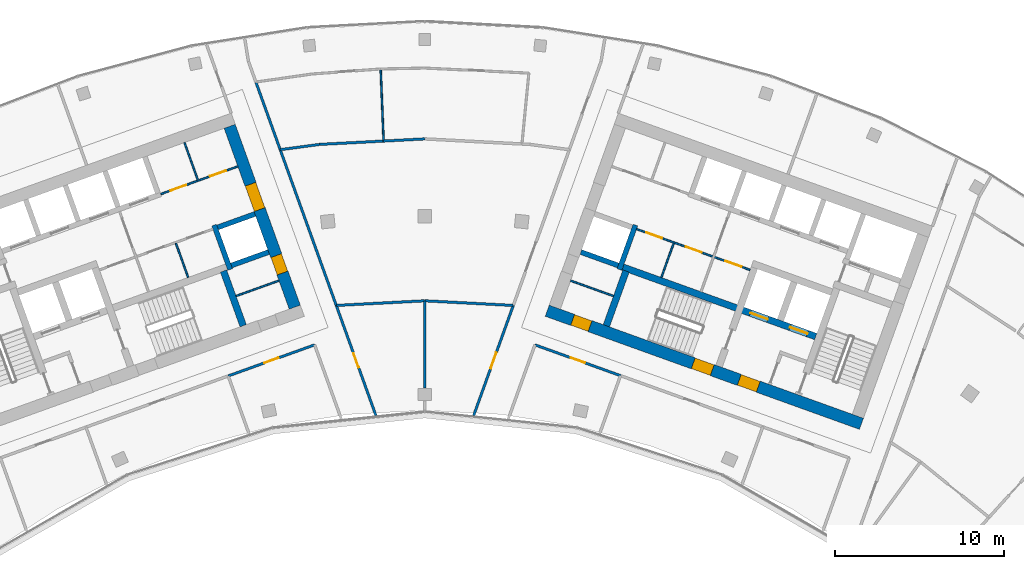
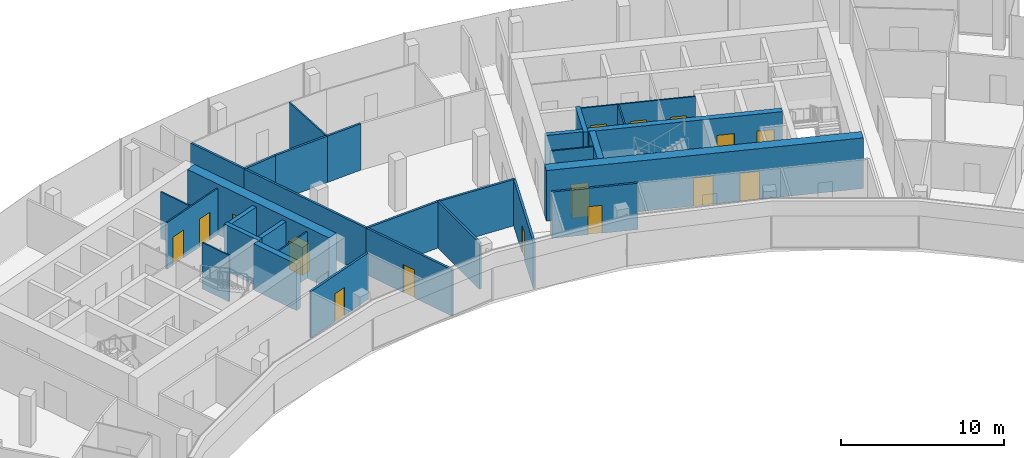
# One storey, part 14 of 18: 30 walls, 16 doors, 16 openings.
"""IFC4 building model written with IfcOpenShell, lengths in metres."""

from ifc_helpers import new_model, si_unit, direction, frame, frame_2d, origin, place, context, subcontext, project, spatial, rectangle, extrude, material, layer, layer_set, type_object, element, fill, save


model = new_model("IFC4")

# Units and contexts
model_context = context("Model", 3, precision=1e-05, world=origin(), true_north=direction((0.0, 1.0)))
body_context = subcontext(model_context, "Body", "Model", "MODEL_VIEW")
ifc_project = project(units=[si_unit("LENGTHUNIT", "METRE"), si_unit("AREAUNIT", "SQUARE_METRE"), si_unit("VOLUMEUNIT", "CUBIC_METRE"), si_unit("PLANEANGLEUNIT", "RADIAN"), si_unit("MASSUNIT", "GRAM", prefix="KILO")], contexts=[model_context])

# Site, building, storey
site_placement = place(None, origin())
site = spatial("IfcSite", under=ifc_project, at=site_placement, CompositionType="ELEMENT")
building_placement = place(site_placement, origin())
building = spatial("IfcBuilding", under=site, at=building_placement, Name="Stone Belt Terrace Tower", CompositionType="ELEMENT")
storey_placement = place(building_placement, frame((0.0, 0.0, 265.60009765625)))
storey = spatial("IfcBuildingStorey", under=building, at=storey_placement, Name="L64", CompositionType="ELEMENT", Elevation=265.60009765625)

# Wall
ifc_material_1 = material(Name="Plasterboard partition")
ifc_layer_1 = layer(ifc_material_1, 0.10009765625)
ifc_layer_set_1 = layer_set([ifc_layer_1], Name="Core partition 100")
wall_type_1 = type_object("IfcWallType", Name="Core partition 100", PredefinedType="PARTITIONING", material=ifc_layer_set_1)
wall_1_placement = place(storey_placement, frame((-14.029052734375, 51.38525390625, 0.0), z_axis=(0.0, 0.0, 1.0), x_axis=(-0.338622960269, 0.940922149159, 0.0)))
element("IfcWall", 1, at=wall_1_placement, inside=storey, type_object=wall_type_1, Name="Core A wall", PredefinedType="PARTITIONING", context=body_context, shape_type="SweptSolid", body=[
    extrude(rectangle(XDim=2.14990234375, YDim=0.10009765625, at=frame_2d((1.074951171875, 0.0))), origin(), (0.0, 0.0, 1.0), 3.47998046875),
])

# Wall, openings, doors
wall_2_placement = place(storey_placement, frame((-15.648681640625, 56.32861328125, 0.0), z_axis=(0.0, 0.0, 1.0), x_axis=(0.940905377977, 0.338669558262, 0.0)))
wall_2 = element("IfcWall", 2, at=wall_2_placement, inside=storey, type_object=wall_type_1, Name="Core A wall", PredefinedType="PARTITIONING", context=body_context, shape_type="SweptSolid", body=[
    extrude(rectangle(XDim=4.85009765625, YDim=0.10009765625, at=frame_2d((2.425048828125, 0.0))), origin(), (0.0, 0.0, 1.0), 3.47998046875),
])
opening_1_placement = place(wall_2_placement, frame((0.60009765625, 0.0, 0.0)))
opening_1 = element("IfcOpeningElement", 3, at=opening_1_placement, cuts=wall_2, Name="Opening L64-C01", PredefinedType="OPENING", context=body_context, shape_type="SweptSolid", body=[
    extrude(rectangle(XDim=1.0, YDim=2.10009765625, at=frame_2d((0.5, 1.050048828125))), frame((0.0, 0.06005859375, 0.0), z_axis=(0.0, -1.0, 0.0), x_axis=(1.0, 0.0, 0.0)), (0.0, 0.0, 1.0), 0.1201171875),
])
opening_2_placement = place(wall_2_placement, frame((3.10009765625, 0.0, 0.0)))
opening_2 = element("IfcOpeningElement", 4, at=opening_2_placement, cuts=wall_2, Name="Opening L64-C02", PredefinedType="OPENING", context=body_context, shape_type="SweptSolid", body=[
    extrude(rectangle(XDim=1.0, YDim=2.10009765625, at=frame_2d((0.5, 1.050048828125))), frame((0.0, 0.06005859375, 0.0), z_axis=(0.0, -1.0, 0.0), x_axis=(1.0, 0.0, 0.0)), (0.0, 0.0, 1.0), 0.1201171875),
])
ifc_material_2 = material(Name="Timber door leaf", Category="wood")
door_type_1 = type_object("IfcDoorType", Name="Core room door 1000", OperationType="SINGLE_SWING_LEFT", PredefinedType="DOOR", material=ifc_material_2)
door_1_placement = place(opening_1_placement, origin())
door_1 = element("IfcDoor", 5, at=door_1_placement, inside=storey, type_object=door_type_1, Name="Door to Print and copy room core A", OperationType="SINGLE_SWING_LEFT", OverallHeight=2.10009765625, OverallWidth=1.0, PredefinedType="DOOR", context=body_context, shape_type="SweptSolid", body=[
    extrude(rectangle(XDim=1.0, YDim=2.10009765625, at=frame_2d((0.5, 1.050048828125))), frame((0.0, 0.02490234375, 0.0), z_axis=(0.0, -1.0, 0.0), x_axis=(1.0, 0.0, 0.0)), (0.0, 0.0, 1.0), 0.050048828125),
])
fill(opening_1, door_1)
door_2_placement = place(opening_2_placement, origin())
door_2 = element("IfcDoor", 6, at=door_2_placement, inside=storey, type_object=door_type_1, Name="Door to Pantry core A", OperationType="SINGLE_SWING_RIGHT", OverallHeight=2.10009765625, OverallWidth=1.0, PredefinedType="DOOR", context=body_context, shape_type="SweptSolid", body=[
    extrude(rectangle(XDim=1.0, YDim=2.10009765625, at=frame_2d((0.5, 1.050048828125))), frame((0.0, 0.02490234375, 0.0), z_axis=(0.0, -1.0, 0.0), x_axis=(1.0, 0.0, 0.0)), (0.0, 0.0, 1.0), 0.050048828125),
])
fill(opening_2, door_2)

# Walls
wall_3_placement = place(storey_placement, frame((-11.187744140625, 50.2822265625, 0.0), z_axis=(0.0, 0.0, 1.0), x_axis=(0.940949642365, 0.338546555931, 0.0)))
element("IfcWall", 7, at=wall_3_placement, inside=storey, type_object=wall_type_1, Name="Core A wall", PredefinedType="PARTITIONING", context=body_context, shape_type="SweptSolid", body=[
    extrude(rectangle(XDim=2.699951171875, YDim=0.10009765625, at=frame_2d((1.35009765625, 0.0))), origin(), (0.0, 0.0, 1.0), 3.47998046875),
])
wall_4_placement = place(storey_placement, frame((-13.45458984375, 57.171630859375, 0.0), z_axis=(0.0, 0.0, 1.0), x_axis=(-0.338579668317, 0.940937728121, 0.0)))
element("IfcWall", 8, at=wall_4_placement, inside=storey, type_object=wall_type_1, Name="Core A wall", PredefinedType="PARTITIONING", context=body_context, shape_type="SweptSolid", body=[
    extrude(rectangle(XDim=2.35009765625, YDim=0.10009765625, at=frame_2d((1.175048828125, 0.0))), origin(), (0.0, 0.0, 1.0), 3.47998046875),
])

# Wall, openings, doors
wall_5_placement = place(storey_placement, frame((19.29052734375, 51.829833984375, 0.0), z_axis=(0.0, 0.0, 1.0), x_axis=(-0.94092179465, 0.338623945331, 0.0)))
wall_5 = element("IfcWall", 9, at=wall_5_placement, inside=storey, type_object=wall_type_1, Name="Core B wall", PredefinedType="PARTITIONING", context=body_context, shape_type="SweptSolid", body=[
    extrude(rectangle(XDim=7.14990234375, YDim=0.10009765625, at=frame_2d((3.574951171875, 0.0))), origin(), (0.0, 0.0, 1.0), 3.47998046875),
])
opening_3_placement = place(wall_5_placement, frame((0.550048828125, 0.0, 0.0)))
opening_3 = element("IfcOpeningElement", 10, at=opening_3_placement, cuts=wall_5, Name="Opening L64-C19", PredefinedType="OPENING", context=body_context, shape_type="SweptSolid", body=[
    extrude(rectangle(XDim=1.0, YDim=2.10009765625, at=frame_2d((0.5, 1.050048828125))), frame((0.0, 0.06005859375, 0.0), z_axis=(0.0, -1.0, 0.0), x_axis=(1.0, 0.0, 0.0)), (0.0, 0.0, 1.0), 0.1201171875),
])
opening_4_placement = place(wall_5_placement, frame((3.050048828125, 0.0, 0.0)))
opening_4 = element("IfcOpeningElement", 11, at=opening_4_placement, cuts=wall_5, Name="Opening L64-C20", PredefinedType="OPENING", context=body_context, shape_type="SweptSolid", body=[
    extrude(rectangle(XDim=1.0, YDim=2.10009765625, at=frame_2d((0.5, 1.050048828125))), frame((0.0, 0.06005859375, 0.0), z_axis=(0.0, -1.0, 0.0), x_axis=(1.0, 0.0, 0.0)), (0.0, 0.0, 1.0), 0.1201171875),
])
opening_5_placement = place(wall_5_placement, frame((5.550048828125, 0.0, 0.0)))
opening_5 = element("IfcOpeningElement", 12, at=opening_5_placement, cuts=wall_5, Name="Opening L64-C21", PredefinedType="OPENING", context=body_context, shape_type="SweptSolid", body=[
    extrude(rectangle(XDim=1.0, YDim=2.10009765625, at=frame_2d((0.5, 1.050048828125))), frame((0.0, 0.06005859375, 0.0), z_axis=(0.0, -1.0, 0.0), x_axis=(1.0, 0.0, 0.0)), (0.0, 0.0, 1.0), 0.1201171875),
])
door_3_placement = place(opening_3_placement, origin())
door_3 = element("IfcDoor", 13, at=door_3_placement, inside=storey, type_object=door_type_1, Name="Door to Housekeeping store core B", OperationType="SINGLE_SWING_RIGHT", OverallHeight=2.10009765625, OverallWidth=1.0, PredefinedType="DOOR", context=body_context, shape_type="SweptSolid", body=[
    extrude(rectangle(XDim=1.0, YDim=2.10009765625, at=frame_2d((0.5, 1.050048828125))), frame((0.0, 0.02490234375, 0.0), z_axis=(0.0, -1.0, 0.0), x_axis=(1.0, 0.0, 0.0)), (0.0, 0.0, 1.0), 0.050048828125),
])
fill(opening_3, door_3)
door_4_placement = place(opening_4_placement, origin())
door_4 = element("IfcDoor", 14, at=door_4_placement, inside=storey, type_object=door_type_1, Name="Door to Tenant storage room core B", OperationType="SINGLE_SWING_LEFT", OverallHeight=2.10009765625, OverallWidth=1.0, PredefinedType="DOOR", context=body_context, shape_type="SweptSolid", body=[
    extrude(rectangle(XDim=1.0, YDim=2.10009765625, at=frame_2d((0.5, 1.050048828125))), frame((0.0, 0.02490234375, 0.0), z_axis=(0.0, -1.0, 0.0), x_axis=(1.0, 0.0, 0.0)), (0.0, 0.0, 1.0), 0.050048828125),
])
fill(opening_4, door_4)
door_5_placement = place(opening_5_placement, origin())
door_5 = element("IfcDoor", 15, at=door_5_placement, inside=storey, type_object=door_type_1, Name="Door to Communications hub room core B", OperationType="SINGLE_SWING_RIGHT", OverallHeight=2.10009765625, OverallWidth=1.0, PredefinedType="DOOR", context=body_context, shape_type="SweptSolid", body=[
    extrude(rectangle(XDim=1.0, YDim=2.10009765625, at=frame_2d((0.5, 1.050048828125))), frame((0.0, 0.02490234375, 0.0), z_axis=(0.0, -1.0, 0.0), x_axis=(1.0, 0.0, 0.0)), (0.0, 0.0, 1.0), 0.050048828125),
])
fill(opening_5, door_5)

# Walls
wall_6_placement = place(storey_placement, frame((14.029052734375, 51.38525390625, 0.0), z_axis=(0.0, 0.0, 1.0), x_axis=(0.338622960269, 0.940922149159, 0.0)))
element("IfcWall", 16, at=wall_6_placement, inside=storey, type_object=wall_type_1, Name="Core B wall", PredefinedType="PARTITIONING", context=body_context, shape_type="SweptSolid", body=[
    extrude(rectangle(XDim=2.14990234375, YDim=0.10009765625, at=frame_2d((1.074951171875, 0.0))), origin(), (0.0, 0.0, 1.0), 3.47998046875),
])
wall_7_placement = place(storey_placement, frame((11.187744140625, 50.2822265625, 0.0), z_axis=(0.0, 0.0, 1.0), x_axis=(-0.940949642365, 0.338546555931, 0.0)))
element("IfcWall", 17, at=wall_7_placement, inside=storey, type_object=wall_type_1, Name="Core B wall", PredefinedType="PARTITIONING", context=body_context, shape_type="SweptSolid", body=[
    extrude(rectangle(XDim=2.699951171875, YDim=0.10009765625, at=frame_2d((1.35009765625, 0.0))), origin(), (0.0, 0.0, 1.0), 3.47998046875),
])

# Wall, openings, doors
ifc_material_3 = material(Name="Concrete B60", Category="concrete")
ifc_layer_2 = layer(ifc_material_3, 0.699951171875)
ifc_layer_set_2 = layer_set([ifc_layer_2], Name="Core wall 700 B60")
wall_type_2 = type_object("IfcWallType", Name="Core wall 700 B60", PredefinedType="SHEAR", material=ifc_layer_set_2)
wall_8_placement = place(storey_placement, frame((-7.70849609375, 49.621337890625, 0.0), z_axis=(0.0, 0.0, 1.0), x_axis=(-0.338606471282, 0.940928083121, 0.0)))
wall_8 = element("IfcWall", 18, at=wall_8_placement, inside=storey, type_object=wall_type_2, Name="Core A wall end_b L64", PredefinedType="SHEAR", context=body_context, shape_type="SweptSolid", body=[
    extrude(rectangle(XDim=11.39990234375, YDim=0.699951171875, at=frame_2d((5.699951171875, 0.0))), origin(), (0.0, 0.0, 1.0), 3.7998046875),
])
opening_6_placement = place(wall_8_placement, frame((6.14990234375, 0.0, 0.0)))
opening_6 = element("IfcOpeningElement", 19, at=opening_6_placement, cuts=wall_8, Name="Opening L64-C09", PredefinedType="OPENING", context=body_context, shape_type="SweptSolid", body=[
    extrude(rectangle(XDim=1.60009765625, YDim=2.10009765625, at=frame_2d((0.800048828125, 1.050048828125))), frame((0.0, 0.35986328125, 0.0), z_axis=(0.0, -1.0, 0.0), x_axis=(1.0, 0.0, 0.0)), (0.0, 0.0, 1.0), 0.719970703125),
])
opening_7_placement = place(wall_8_placement, frame((2.14990234375, 0.0, 0.0)))
opening_7 = element("IfcOpeningElement", 20, at=opening_7_placement, cuts=wall_8, Name="Opening L64-C15", PredefinedType="OPENING", context=body_context, shape_type="SweptSolid", body=[
    extrude(rectangle(XDim=1.10009765625, YDim=2.10009765625, at=frame_2d((0.550048828125, 1.050048828125))), frame((0.0, 0.35986328125, 0.0), z_axis=(0.0, -1.0, 0.0), x_axis=(1.0, 0.0, 0.0)), (0.0, 0.0, 1.0), 0.719970703125),
])
door_type_2 = type_object("IfcDoorType", Name="Core room door 1100", OperationType="SINGLE_SWING_LEFT", PredefinedType="DOOR", material=ifc_material_2)
door_6_placement = place(opening_7_placement, origin())
door_6 = element("IfcDoor", 21, at=door_6_placement, inside=storey, type_object=door_type_2, Name="Door to Accessible WC core A", OperationType="SINGLE_SWING_RIGHT", OverallHeight=2.10009765625, OverallWidth=1.10009765625, PredefinedType="DOOR", context=body_context, shape_type="SweptSolid", body=[
    extrude(rectangle(XDim=1.10009765625, YDim=2.10009765625, at=frame_2d((0.550048828125, 1.050048828125))), frame((0.0, 0.330078125, 0.0), z_axis=(0.0, -1.0, 0.0), x_axis=(1.0, 0.0, 0.0)), (0.0, 0.0, 1.0), 0.659912109375),
])
fill(opening_7, door_6)
ifc_material_4 = material(Name="Glazed aluminium door leaf", Category="aluminium")
door_type_3 = type_object("IfcDoorType", Name="Lift lobby entrance door 1600", OperationType="DOUBLE_DOOR_SINGLE_SWING", PredefinedType="DOOR", material=ifc_material_4)
door_7_placement = place(opening_6_placement, origin())
door_7 = element("IfcDoor", 22, at=door_7_placement, inside=storey, type_object=door_type_3, Name="Lift lobby entrance door core A", OperationType="DOUBLE_DOOR_SINGLE_SWING", OverallHeight=2.10009765625, OverallWidth=1.60009765625, PredefinedType="DOOR", context=body_context, shape_type="SweptSolid", body=[
    extrude(rectangle(XDim=1.60009765625, YDim=2.10009765625, at=frame_2d((0.800048828125, 1.050048828125))), frame((0.0, 0.330078125, 0.0), z_axis=(0.0, -1.0, 0.0), x_axis=(1.0, 0.0, 0.0)), (0.0, 0.0, 1.0), 0.659912109375),
])
fill(opening_6, door_7)

wall_9_placement = place(storey_placement, frame((7.260498046875, 49.410400390625, 0.0), z_axis=(0.0, 0.0, 1.0), x_axis=(0.940925130461, -0.338614676094, 0.0)))
wall_9 = element("IfcWall", 23, at=wall_9_placement, inside=storey, type_object=wall_type_2, Name="Core B wall concave L64", PredefinedType="SHEAR", context=body_context, shape_type="SweptSolid", body=[
    extrude(rectangle(XDim=19.800048828125, YDim=0.699951171875, at=frame_2d((9.89990234375, 0.0))), origin(), (0.0, 0.0, 1.0), 3.7998046875),
])
opening_8_placement = place(wall_9_placement, frame((12.10009765625, 0.0, 0.0)))
opening_8 = element("IfcOpeningElement", 24, at=opening_8_placement, cuts=wall_9, Name="Opening L64-C28", PredefinedType="OPENING", context=body_context, shape_type="SweptSolid", body=[
    extrude(rectangle(XDim=1.199951171875, YDim=2.10009765625, at=frame_2d((0.60009765625, 1.050048828125))), frame((0.0, 0.35986328125, 0.0), z_axis=(0.0, -1.0, 0.0), x_axis=(1.0, 0.0, 0.0)), (0.0, 0.0, 1.0), 0.719970703125),
])
opening_9_placement = place(wall_9_placement, frame((9.2001953125, 0.0, 0.0)))
opening_9 = element("IfcOpeningElement", 25, at=opening_9_placement, cuts=wall_9, Name="Opening L64-C30", PredefinedType="OPENING", context=body_context, shape_type="SweptSolid", body=[
    extrude(rectangle(XDim=1.199951171875, YDim=2.10009765625, at=frame_2d((0.60009765625, 1.050048828125))), frame((0.0, 0.35986328125, 0.0), z_axis=(0.0, -1.0, 0.0), x_axis=(1.0, 0.0, 0.0)), (0.0, 0.0, 1.0), 0.719970703125),
])
opening_10_placement = place(wall_9_placement, frame((1.60009765625, 0.0, 0.0)))
opening_10 = element("IfcOpeningElement", 26, at=opening_10_placement, cuts=wall_9, Name="Opening L64-C32", PredefinedType="OPENING", context=body_context, shape_type="SweptSolid", body=[
    extrude(rectangle(XDim=1.10009765625, YDim=2.10009765625, at=frame_2d((0.550048828125, 1.050048828125))), frame((0.0, 0.35986328125, 0.0), z_axis=(0.0, -1.0, 0.0), x_axis=(1.0, 0.0, 0.0)), (0.0, 0.0, 1.0), 0.719970703125),
])
door_8_placement = place(opening_10_placement, origin())
door_8 = element("IfcDoor", 27, at=door_8_placement, inside=storey, type_object=door_type_2, Name="Door to Cleaner's store core B", OperationType="SINGLE_SWING_RIGHT", OverallHeight=2.10009765625, OverallWidth=1.10009765625, PredefinedType="DOOR", context=body_context, shape_type="SweptSolid", body=[
    extrude(rectangle(XDim=1.10009765625, YDim=2.10009765625, at=frame_2d((0.550048828125, 1.050048828125))), frame((0.0, 0.330078125, 0.0), z_axis=(0.0, -1.0, 0.0), x_axis=(1.0, 0.0, 0.0)), (0.0, 0.0, 1.0), 0.659912109375),
])
fill(opening_10, door_8)
ifc_material_5 = material(Name="Steel door leaf", Category="steel")
door_type_4 = type_object("IfcDoorType", Name="Fire-fighting lobby door 1200", OperationType="SINGLE_SWING_LEFT", PredefinedType="DOOR", material=ifc_material_5)
door_9_placement = place(opening_8_placement, origin())
door_9 = element("IfcDoor", 28, at=door_9_placement, inside=storey, type_object=door_type_4, Name="Fire-fighting lobby door core B", OperationType="SINGLE_SWING_RIGHT", OverallHeight=2.10009765625, OverallWidth=1.199951171875, PredefinedType="DOOR", context=body_context, shape_type="SweptSolid", body=[
    extrude(rectangle(XDim=1.199951171875, YDim=2.10009765625, at=frame_2d((0.60009765625, 1.050048828125))), frame((0.0, 0.330078125, 0.0), z_axis=(0.0, -1.0, 0.0), x_axis=(1.0, 0.0, 0.0)), (0.0, 0.0, 1.0), 0.659912109375),
])
fill(opening_8, door_9)
door_type_5 = type_object("IfcDoorType", Name="Stair door 1200", OperationType="SINGLE_SWING_LEFT", PredefinedType="DOOR", material=ifc_material_5)
door_10_placement = place(opening_9_placement, origin())
door_10 = element("IfcDoor", 29, at=door_10_placement, inside=storey, type_object=door_type_5, Name="Stair 2 exit door core B", OperationType="SINGLE_SWING_LEFT", OverallHeight=2.10009765625, OverallWidth=1.199951171875, PredefinedType="DOOR", context=body_context, shape_type="SweptSolid", body=[
    extrude(rectangle(XDim=1.199951171875, YDim=2.10009765625, at=frame_2d((0.60009765625, 1.050048828125))), frame((0.0, 0.330078125, 0.0), z_axis=(0.0, -1.0, 0.0), x_axis=(1.0, 0.0, 0.0)), (0.0, 0.0, 1.0), 0.659912109375),
])
fill(opening_9, door_10)

# Walls
ifc_material_6 = material(Name="Concrete B80", Category="concrete")
ifc_layer_3 = layer(ifc_material_6, 0.300048828125)
ifc_layer_set_3 = layer_set([ifc_layer_3], Name="Lift shaft wall 300")
wall_type_3 = type_object("IfcWallType", Name="Lift shaft wall 300", PredefinedType="SHEAR", material=ifc_layer_set_3)
wall_10_placement = place(storey_placement, frame((-11.541259765625, 51.85546875, 0.0), z_axis=(0.0, 0.0, 1.0), x_axis=(-0.338660803216, 0.940908529223, 0.0)))
element("IfcWall", 30, at=wall_10_placement, inside=storey, type_object=wall_type_3, Name="Core A wall", PredefinedType="SHEAR", context=body_context, shape_type="SweptSolid", body=[
    extrude(rectangle(XDim=2.800048828125, YDim=0.300048828125, at=frame_2d((1.39990234375, 0.0))), origin(), (0.0, 0.0, 1.0), 3.47998046875),
])
wall_11_placement = place(storey_placement, frame((-11.468017578125, 52.09423828125, 0.0), z_axis=(0.0, 0.0, 1.0), x_axis=(0.940904627055, 0.338671644496, 0.0)))
element("IfcWall", 31, at=wall_11_placement, inside=storey, type_object=wall_type_3, Name="Core A wall", PredefinedType="SHEAR", context=body_context, shape_type="SweptSolid", body=[
    extrude(rectangle(XDim=2.35009765625, YDim=0.300048828125, at=frame_2d((1.175048828125, 0.0))), origin(), (0.0, 0.0, 1.0), 3.47998046875),
])
wall_12_placement = place(storey_placement, frame((-12.280517578125, 54.3525390625, 0.0), z_axis=(0.0, 0.0, 1.0), x_axis=(0.940925816745, 0.338612769078, 0.0)))
element("IfcWall", 32, at=wall_12_placement, inside=storey, type_object=wall_type_3, Name="Core A wall", PredefinedType="SHEAR", context=body_context, shape_type="SweptSolid", body=[
    extrude(rectangle(XDim=2.349853515625, YDim=0.300048828125, at=frame_2d((1.1748046875, 0.0))), origin(), (0.0, 0.0, 1.0), 3.47998046875),
])
wall_13_placement = place(storey_placement, frame((11.541259765625, 51.85546875, 0.0), z_axis=(0.0, 0.0, 1.0), x_axis=(0.338660803216, 0.940908529223, 0.0)))
element("IfcWall", 33, at=wall_13_placement, inside=storey, type_object=wall_type_3, Name="Core B wall", PredefinedType="SHEAR", context=body_context, shape_type="SweptSolid", body=[
    extrude(rectangle(XDim=2.800048828125, YDim=0.300048828125, at=frame_2d((1.39990234375, 0.0))), origin(), (0.0, 0.0, 1.0), 3.47998046875),
])
wall_14_placement = place(storey_placement, frame((11.468017578125, 52.09423828125, 0.0), z_axis=(0.0, 0.0, 1.0), x_axis=(-0.940904627055, 0.338671644496, 0.0)))
element("IfcWall", 34, at=wall_14_placement, inside=storey, type_object=wall_type_3, Name="Core B wall", PredefinedType="SHEAR", context=body_context, shape_type="SweptSolid", body=[
    extrude(rectangle(XDim=2.35009765625, YDim=0.300048828125, at=frame_2d((1.175048828125, 0.0))), origin(), (0.0, 0.0, 1.0), 3.47998046875),
])
ifc_material_7 = material(Name="Gypsum board partition")
ifc_layer_4 = layer(ifc_material_7, 0.10009765625)
ifc_layer_set_4 = layer_set([ifc_layer_4], Name="PARTITION 100")
wall_type_4 = type_object("IfcWallType", Name="PARTITION 100", PredefinedType="PARTITIONING", material=ifc_layer_set_4)
wall_15_placement = place(storey_placement, frame((-2.615966796875, 63.74609375, 0.0), z_axis=(0.0, 0.0, 1.0), x_axis=(0.040920742427, -0.999162395629, 0.0)))
element("IfcWall", 35, at=wall_15_placement, inside=storey, type_object=wall_type_4, Name="L64/wall/i086", PredefinedType="PARTITIONING", context=body_context, shape_type="SweptSolid", body=[
    extrude(rectangle(XDim=4.27783203125, YDim=0.10009765625, at=frame_2d((2.138916015625, 0.0))), origin(), (0.0, 0.0, 1.0), 3.47998046875),
])

# Wall, opening, door
ifc_layer_5 = layer(ifc_material_7, 0.14990234375)
ifc_layer_set_5 = layer_set([ifc_layer_5], Name="PARTITION 150 EI 60")
wall_type_5 = type_object("IfcWallType", Name="PARTITION 150 EI 60", PredefinedType="PARTITIONING", material=ifc_layer_set_5)
wall_16_placement = place(storey_placement, frame((-5.2490234375, 49.72900390625, 0.0), z_axis=(0.0, 0.0, 1.0), x_axis=(0.338658460958, -0.940909372268, 0.0)))
wall_16 = element("IfcWall", 36, at=wall_16_placement, inside=storey, type_object=wall_type_5, Name="L64/wall/i011", PredefinedType="PARTITIONING", context=body_context, shape_type="SweptSolid", body=[
    extrude(rectangle(XDim=6.94384765625, YDim=0.14990234375, at=frame_2d((3.471923828125, 0.0))), origin(), (0.0, 0.0, 1.0), 3.47998046875),
])
opening_11_placement = place(wall_16_placement, frame((3.02197265625, 0.0, 0.0)))
opening_11 = element("IfcOpeningElement", 37, at=opening_11_placement, cuts=wall_16, Name="Opening D-E1-25", PredefinedType="OPENING", context=body_context, shape_type="SweptSolid", body=[
    extrude(rectangle(XDim=0.89990234375, YDim=2.10009765625, at=frame_2d((0.449951171875, 1.050048828125))), frame((0.0, 0.0849609375, 0.0), z_axis=(0.0, -1.0, 0.0), x_axis=(1.0, 0.0, 0.0)), (0.0, 0.0, 1.0), 0.169921875),
])
door_type_6 = type_object("IfcDoorType", Name="OFFICE DOOR 900 X 2100", OperationType="NOTDEFINED", PredefinedType="DOOR", material=ifc_material_2)
door_11_placement = place(opening_11_placement, origin())
door_11 = element("IfcDoor", 38, at=door_11_placement, inside=storey, type_object=door_type_6, Name="L64/door/i25", OperationType="SINGLE_SWING_RIGHT", OverallHeight=2.10009765625, OverallWidth=0.89990234375, PredefinedType="DOOR", context=body_context, shape_type="SweptSolid", body=[
    extrude(rectangle(XDim=0.89990234375, YDim=2.10009765625, at=frame_2d((0.449951171875, 1.050048828125))), frame((0.0, 0.02490234375, 0.0), z_axis=(0.0, -1.0, 0.0), x_axis=(1.0, 0.0, 0.0)), (0.0, 0.0, 1.0), 0.050048828125),
])
fill(opening_11, door_11)

# Walls
wall_17_placement = place(storey_placement, frame((-10.01708984375, 62.97900390625, 0.0), z_axis=(0.0, 0.0, 1.0), x_axis=(0.338519370283, -0.940959423112, 0.0)))
element("IfcWall", 39, at=wall_17_placement, inside=storey, type_object=wall_type_5, Name="L64/wall/i014", PredefinedType="PARTITIONING", context=body_context, shape_type="SweptSolid", body=[
    extrude(rectangle(XDim=4.27734375, YDim=0.14990234375, at=frame_2d((2.138671875, 0.0))), origin(), (0.0, 0.0, 1.0), 3.47998046875),
])
wall_18_placement = place(storey_placement, frame((-8.572998046875, 58.966064453125, 0.0), z_axis=(0.0, 0.0, 1.0), x_axis=(0.338560271088, -0.940944707643, 0.0)))
element("IfcWall", 40, at=wall_18_placement, inside=storey, type_object=wall_type_5, Name="L64/wall/i015", PredefinedType="PARTITIONING", context=body_context, shape_type="SweptSolid", body=[
    extrude(rectangle(XDim=9.82958984375, YDim=0.14990234375, at=frame_2d((4.914794921875, 0.0))), origin(), (0.0, 0.0, 1.0), 3.47998046875),
])

# Wall, opening, door
wall_19_placement = place(storey_placement, frame((-6.532958984375, 47.387939453125, 0.0), z_axis=(0.0, 0.0, 1.0), x_axis=(-0.940930243135, -0.338600468922, 0.0)))
wall_19 = element("IfcWall", 41, at=wall_19_placement, inside=storey, type_object=wall_type_5, Name="L64/wall/i018", PredefinedType="PARTITIONING", context=body_context, shape_type="SweptSolid", body=[
    extrude(rectangle(XDim=5.44873046875, YDim=0.14990234375, at=frame_2d((2.724365234375, 0.0))), origin(), (0.0, 0.0, 1.0), 3.47998046875),
])
opening_12_placement = place(wall_19_placement, frame((2.2744140625, 0.0, 0.0)))
opening_12 = element("IfcOpeningElement", 42, at=opening_12_placement, cuts=wall_19, Name="Opening D-E1-03", PredefinedType="OPENING", context=body_context, shape_type="SweptSolid", body=[
    extrude(rectangle(XDim=0.89990234375, YDim=2.10009765625, at=frame_2d((0.449951171875, 1.050048828125))), frame((0.0, 0.0849609375, 0.0), z_axis=(0.0, -1.0, 0.0), x_axis=(1.0, 0.0, 0.0)), (0.0, 0.0, 1.0), 0.169921875),
])
door_12_placement = place(opening_12_placement, origin())
door_12 = element("IfcDoor", 43, at=door_12_placement, inside=storey, type_object=door_type_6, Name="L64/door/i03", OperationType="SINGLE_SWING_RIGHT", OverallHeight=2.10009765625, OverallWidth=0.89990234375, PredefinedType="DOOR", context=body_context, shape_type="SweptSolid", body=[
    extrude(rectangle(XDim=0.89990234375, YDim=2.10009765625, at=frame_2d((0.449951171875, 1.050048828125))), frame((0.0, 0.02490234375, 0.0), z_axis=(0.0, -1.0, 0.0), x_axis=(1.0, 0.0, 0.0)), (0.0, 0.0, 1.0), 0.050048828125),
])
fill(opening_12, door_12)

wall_20_placement = place(storey_placement, frame((2.8974609375, 43.195556640625, 0.0), z_axis=(0.0, 0.0, 1.0), x_axis=(0.338658460958, 0.940909372268, 0.0)))
wall_20 = element("IfcWall", 44, at=wall_20_placement, inside=storey, type_object=wall_type_5, Name="L64/wall/i024", PredefinedType="PARTITIONING", context=body_context, shape_type="SweptSolid", body=[
    extrude(rectangle(XDim=6.94384765625, YDim=0.14990234375, at=frame_2d((3.471923828125, 0.0))), origin(), (0.0, 0.0, 1.0), 3.47998046875),
])
opening_13_placement = place(wall_20_placement, frame((2.971923828125, 0.0, 0.0)))
opening_13 = element("IfcOpeningElement", 45, at=opening_13_placement, cuts=wall_20, Name="Opening D-E1-26", PredefinedType="OPENING", context=body_context, shape_type="SweptSolid", body=[
    extrude(rectangle(XDim=1.0, YDim=2.10009765625, at=frame_2d((0.5, 1.050048828125))), frame((0.0, 0.0849609375, 0.0), z_axis=(0.0, -1.0, 0.0), x_axis=(1.0, 0.0, 0.0)), (0.0, 0.0, 1.0), 0.169921875),
])
ifc_material_8 = material(Name="Timber fire door leaf", Category="wood")
door_type_7 = type_object("IfcDoorType", Name="TENANCY ENTRANCE DOOR 1000 X 2100", OperationType="NOTDEFINED", PredefinedType="DOOR", material=ifc_material_8)
door_13_placement = place(opening_13_placement, origin())
door_13 = element("IfcDoor", 46, at=door_13_placement, inside=storey, type_object=door_type_7, Name="L64/door/i26", OperationType="SINGLE_SWING_RIGHT", OverallHeight=2.10009765625, OverallWidth=1.0, PredefinedType="DOOR", context=body_context, shape_type="SweptSolid", body=[
    extrude(rectangle(XDim=1.0, YDim=2.10009765625, at=frame_2d((0.5, 1.050048828125))), frame((0.0, 0.02490234375, 0.0), z_axis=(0.0, -1.0, 0.0), x_axis=(1.0, 0.0, 0.0)), (0.0, 0.0, 1.0), 0.050048828125),
])
fill(opening_13, door_13)

wall_21_placement = place(storey_placement, frame((11.612060546875, 45.56005859375, 0.0), z_axis=(0.0, 0.0, 1.0), x_axis=(-0.940922576985, 0.338621771481, 0.0)))
wall_21 = element("IfcWall", 47, at=wall_21_placement, inside=storey, type_object=wall_type_5, Name="L64/wall/i036", PredefinedType="PARTITIONING", context=body_context, shape_type="SweptSolid", body=[
    extrude(rectangle(XDim=5.39794921875, YDim=0.14990234375, at=frame_2d((2.698974609375, 0.0))), origin(), (0.0, 0.0, 1.0), 3.47998046875),
])
opening_14_placement = place(wall_21_placement, frame((2.2490234375, 0.0, 0.0)))
opening_14 = element("IfcOpeningElement", 48, at=opening_14_placement, cuts=wall_21, Name="Opening D-E1-06", PredefinedType="OPENING", context=body_context, shape_type="SweptSolid", body=[
    extrude(rectangle(XDim=0.89990234375, YDim=2.10009765625, at=frame_2d((0.449951171875, 1.050048828125))), frame((0.0, 0.0849609375, 0.0), z_axis=(0.0, -1.0, 0.0), x_axis=(1.0, 0.0, 0.0)), (0.0, 0.0, 1.0), 0.169921875),
])
door_14_placement = place(opening_14_placement, origin())
door_14 = element("IfcDoor", 49, at=door_14_placement, inside=storey, type_object=door_type_6, Name="L64/door/i06", OperationType="SINGLE_SWING_RIGHT", OverallHeight=2.10009765625, OverallWidth=0.89990234375, PredefinedType="DOOR", context=body_context, shape_type="SweptSolid", body=[
    extrude(rectangle(XDim=0.89990234375, YDim=2.10009765625, at=frame_2d((0.449951171875, 1.050048828125))), frame((0.0, 0.02490234375, 0.0), z_axis=(0.0, -1.0, 0.0), x_axis=(1.0, 0.0, 0.0)), (0.0, 0.0, 1.0), 0.050048828125),
])
fill(opening_14, door_14)

# Walls
wall_22_placement = place(storey_placement, frame((0.0, 50.0, 0.0), z_axis=(0.0, 0.0, 1.0), x_axis=(0.0, -1.0, 0.0)))
element("IfcWall", 50, at=wall_22_placement, inside=storey, type_object=wall_type_5, Name="L64/wall/i075", PredefinedType="PARTITIONING", context=body_context, shape_type="SweptSolid", body=[
    extrude(rectangle(XDim=5.175048828125, YDim=0.14990234375, at=frame_2d((2.58740234375, 0.0))), origin(), (0.0, 0.0, 1.0), 3.47998046875),
])
for number, where, z_axis, x_axis, name in (
    (51, (-5.22607421875, 49.72607421875, 0.0), (0.0, 0.0, 1.0), (0.998629146863, 0.052343357133, 0.0), "L64/wall/i077"),
    (52, (0.0, 50.0, 0.0), (0.0, 0.0, 1.0), (0.998629146863, -0.052343357133, 0.0), "L64/wall/i078"),
):
    element("IfcWall", number, at=place(storey_placement, frame(where, z_axis=z_axis, x_axis=x_axis)), inside=storey, type_object=wall_type_5, Name=name, PredefinedType="PARTITIONING", context=body_context, shape_type="SweptSolid", body=[
        extrude(rectangle(XDim=5.233154296875, YDim=0.14990234375, at=frame_2d((2.61669921875, 0.0))), origin(), (0.0, 0.0, 1.0), 3.47998046875),
    ])
wall_23_placement = place(storey_placement, frame((-2.44091796875, 59.471923828125, 0.0), z_axis=(0.0, 0.0, 1.0), x_axis=(-0.998637489128, -0.052183956423, 0.0)))
element("IfcWall", 53, at=wall_23_placement, inside=storey, type_object=wall_type_5, Name="L64/wall/i087", PredefinedType="PARTITIONING", context=body_context, shape_type="SweptSolid", body=[
    extrude(rectangle(XDim=3.794189453125, YDim=0.14990234375, at=frame_2d((1.89697265625, 0.0))), origin(), (0.0, 0.0, 1.0), 3.47998046875),
])
wall_24_placement = place(storey_placement, frame((-6.22998046875, 59.27392578125, 0.0), z_axis=(0.0, 0.0, 1.0), x_axis=(-0.991133806979, -0.132867515457, 0.0)))
element("IfcWall", 54, at=wall_24_placement, inside=storey, type_object=wall_type_5, Name="L64/wall/i088", PredefinedType="PARTITIONING", context=body_context, shape_type="SweptSolid", body=[
    extrude(rectangle(XDim=2.363037109375, YDim=0.14990234375, at=frame_2d((1.181640625, 0.0))), origin(), (0.0, 0.0, 1.0), 3.47998046875),
])
wall_25_placement = place(storey_placement, frame((0.0, 59.60009765625, 0.0), z_axis=(0.0, 0.0, 1.0), x_axis=(-0.998624168172, -0.05243825648, 0.0)))
element("IfcWall", 55, at=wall_25_placement, inside=storey, type_object=wall_type_5, Name="L64/wall/i090", PredefinedType="PARTITIONING", context=body_context, shape_type="SweptSolid", body=[
    extrude(rectangle(XDim=2.4443359375, YDim=0.14990234375, at=frame_2d((1.22216796875, 0.0))), origin(), (0.0, 0.0, 1.0), 3.47998046875),
])
ifc_layer_6 = layer(ifc_material_6, 0.39990234375)
ifc_layer_set_6 = layer_set([ifc_layer_6], Name="Stair enclosure wall 400")
wall_type_6 = type_object("IfcWallType", Name="Stair enclosure wall 400", PredefinedType="SHEAR", material=ifc_layer_set_6)
wall_26_placement = place(storey_placement, frame((-10.766357421875, 48.520751953125, 0.0), z_axis=(0.0, 0.0, 1.0), x_axis=(-0.338621735342, 0.94092258999, 0.0)))
element("IfcWall", 56, at=wall_26_placement, inside=storey, type_object=wall_type_6, Name="Core A wall", PredefinedType="SHEAR", context=body_context, shape_type="SweptSolid", body=[
    extrude(rectangle(XDim=3.449951171875, YDim=0.39990234375, at=frame_2d((1.72509765625, 0.0))), origin(), (0.0, 0.0, 1.0), 3.47998046875),
])

# Wall, openings, doors
wall_27_placement = place(storey_placement, frame((23.182373046875, 47.87841796875, 0.0), z_axis=(0.0, 0.0, 1.0), x_axis=(-0.940921731919, 0.338624119641, 0.0)))
wall_27 = element("IfcWall", 57, at=wall_27_placement, inside=storey, type_object=wall_type_6, Name="Core B wall", PredefinedType="SHEAR", context=body_context, shape_type="SweptSolid", body=[
    extrude(rectangle(XDim=12.14990234375, YDim=0.39990234375, at=frame_2d((6.074951171875, 0.0))), origin(), (0.0, 0.0, 1.0), 3.47998046875),
])
opening_15_placement = place(wall_27_placement, frame((0.52001953125, 0.0, 0.0)))
opening_15 = element("IfcOpeningElement", 58, at=opening_15_placement, cuts=wall_27, Name="Opening L64-LD12", PredefinedType="OPENING", context=body_context, shape_type="SweptSolid", body=[
    extrude(rectangle(XDim=1.10009765625, YDim=2.199951171875, at=frame_2d((0.550048828125, 1.10009765625))), frame((0.0, 0.2099609375, 0.0), z_axis=(0.0, -1.0, 0.0), x_axis=(1.0, 0.0, 0.0)), (0.0, 0.0, 1.0), 0.419921875),
])
opening_16_placement = place(wall_27_placement, frame((3.02001953125, 0.0, 0.0)))
opening_16 = element("IfcOpeningElement", 59, at=opening_16_placement, cuts=wall_27, Name="Opening L64-LD13", PredefinedType="OPENING", context=body_context, shape_type="SweptSolid", body=[
    extrude(rectangle(XDim=1.10009765625, YDim=2.199951171875, at=frame_2d((0.550048828125, 1.10009765625))), frame((0.0, 0.2099609375, 0.0), z_axis=(0.0, -1.0, 0.0), x_axis=(1.0, 0.0, 0.0)), (0.0, 0.0, 1.0), 0.419921875),
])
ifc_material_9 = material(Name="Stainless steel door leaf", Category="steel")
door_type_8 = type_object("IfcDoorType", Name="Landing door 1100", OperationType="SLIDING_TO_LEFT", PredefinedType="DOOR", material=ifc_material_9)
door_15_placement = place(opening_15_placement, origin())
door_15 = element("IfcDoor", 60, at=door_15_placement, inside=storey, type_object=door_type_8, Name="Landing door FF1 core B", OperationType="SLIDING_TO_LEFT", OverallHeight=2.199951171875, OverallWidth=1.10009765625, PredefinedType="DOOR", context=body_context, shape_type="SweptSolid", body=[
    extrude(rectangle(XDim=1.10009765625, YDim=2.199951171875, at=frame_2d((0.550048828125, 1.10009765625))), frame((0.0, 0.02490234375, 0.0), z_axis=(0.0, -1.0, 0.0), x_axis=(1.0, 0.0, 0.0)), (0.0, 0.0, 1.0), 0.050048828125),
])
fill(opening_15, door_15)
door_16_placement = place(opening_16_placement, origin())
door_16 = element("IfcDoor", 61, at=door_16_placement, inside=storey, type_object=door_type_8, Name="Landing door FF2 core B", OperationType="SLIDING_TO_LEFT", OverallHeight=2.199951171875, OverallWidth=1.10009765625, PredefinedType="DOOR", context=body_context, shape_type="SweptSolid", body=[
    extrude(rectangle(XDim=1.10009765625, YDim=2.199951171875, at=frame_2d((0.550048828125, 1.10009765625))), frame((0.0, 0.02490234375, 0.0), z_axis=(0.0, -1.0, 0.0), x_axis=(1.0, 0.0, 0.0)), (0.0, 0.0, 1.0), 0.050048828125),
])
fill(opening_16, door_16)

# Wall
wall_28_placement = place(storey_placement, frame((10.766357421875, 48.520751953125, 0.0), z_axis=(0.0, 0.0, 1.0), x_axis=(0.338621735342, 0.94092258999, 0.0)))
element("IfcWall", 62, at=wall_28_placement, inside=storey, type_object=wall_type_6, Name="Core B wall", PredefinedType="SHEAR", context=body_context, shape_type="SweptSolid", body=[
    extrude(rectangle(XDim=3.449951171875, YDim=0.39990234375, at=frame_2d((1.72509765625, 0.0))), origin(), (0.0, 0.0, 1.0), 3.47998046875),
])

save(model, "model.ifc")
